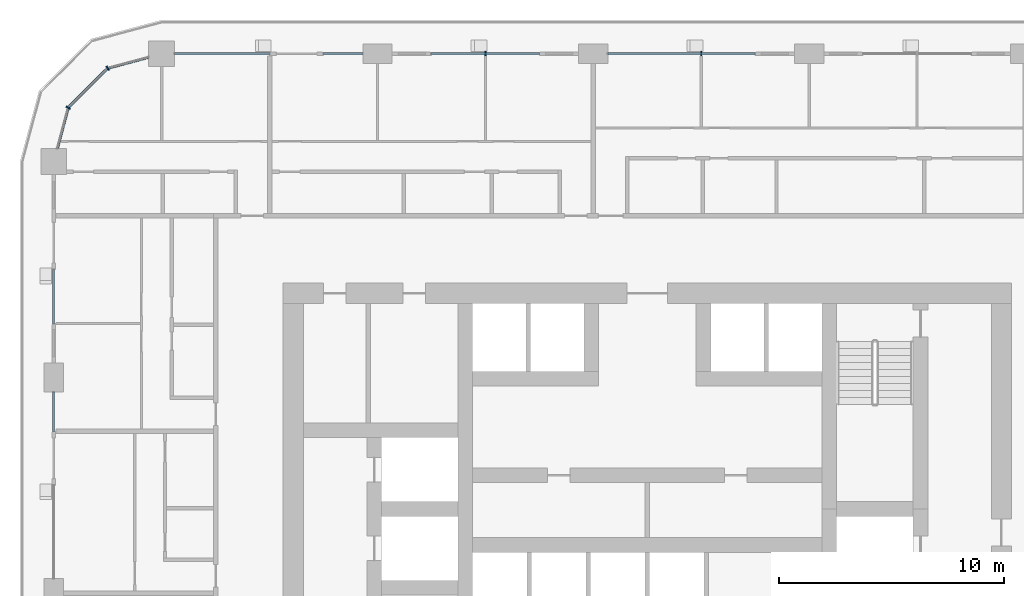
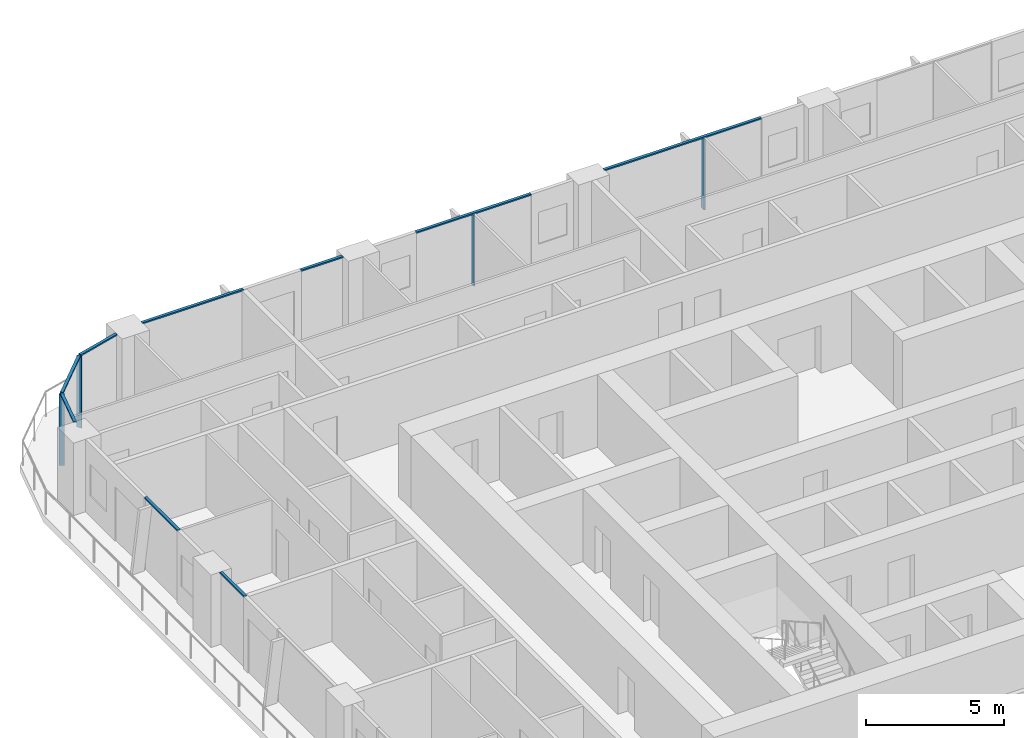
# One storey, part 5 of 22: 13 members, 6 elements without a shape of their own.
"""IFC4 building model written with IfcOpenShell, lengths in metres."""

from ifc_helpers import new_model, si_unit, direction, frame, origin, origin_2d, place, context, subcontext, project, spatial, rectangle, extrude, material, layer, layer_set, material_profile, profile_set, type_object, element, aggregate, save


model = new_model("IFC4")

# Units and contexts
model_context = context("Model", 3, precision=1e-05, world=origin(), true_north=direction((0.0, 1.0)))
body_context = subcontext(model_context, "Body", "Model", "MODEL_VIEW")
ifc_project = project(units=[si_unit("LENGTHUNIT", "METRE"), si_unit("AREAUNIT", "SQUARE_METRE"), si_unit("VOLUMEUNIT", "CUBIC_METRE"), si_unit("PLANEANGLEUNIT", "RADIAN"), si_unit("MASSUNIT", "GRAM", prefix="KILO")], contexts=[model_context])

# Site, building, storey
site_placement = place(None, origin())
site = spatial("IfcSite", under=ifc_project, at=site_placement, CompositionType="ELEMENT")
building_placement = place(site_placement, origin())
building = spatial("IfcBuilding", under=site, at=building_placement, Name="Madar Terraces", CompositionType="ELEMENT")
storey_placement = place(building_placement, frame((0.0, 0.0, 62.800048828125)))
storey = spatial("IfcBuildingStorey", under=building, at=storey_placement, Name="L15", CompositionType="ELEMENT", Elevation=62.800048828125)

# Curtain wall, member
ifc_material_1 = material(Name="Glass, ceramic frit dark grey, with black aluminium frame", Category="aluminium")
ifc_layer = layer(ifc_material_1, 0.199951171875)
ifc_layer_set = layer_set([ifc_layer], Name="Facade curtain wall, fritted glass")
curtain_wall_type = type_object("IfcCurtainWallType", Name="Facade curtain wall, fritted glass", PredefinedType="NOTDEFINED", material=ifc_layer_set)
curtain_wall_1_placement = place(storey_placement, origin())
curtain_wall_1 = element("IfcCurtainWall", 1, at=curtain_wall_1_placement, inside=storey, type_object=curtain_wall_type, Name="Outer skin curtain wall north bay 3", PredefinedType="NOTDEFINED")
ifc_material_2 = material(Name="Aluminium, black anodised", Category="aluminium")
ifc_material_profile_1 = material_profile(ifc_material_2, rectangle(XDim=0.199951171875, YDim=0.06005859375, at=origin_2d()), Name="Facade mullion 60x200")
ifc_profile_set_1 = profile_set([ifc_material_profile_1], Name="Aluminium, black anodised")
member_type_1 = type_object("IfcMemberType", Name="Facade mullion 60x200", PredefinedType="MULLION", material=ifc_profile_set_1)
member_1_placement = place(storey_placement, frame((33.60009765625, 48.0, 0.0), z_axis=(0.0, 0.0, 1.0), x_axis=(0.0, -1.0, 0.0)))
member_1 = element("IfcMember", 2, at=member_1_placement, type_object=member_type_1, Name="Mullion 1", PredefinedType="MULLION", context=body_context, shape_type="SweptSolid", body=[
    extrude(rectangle(XDim=0.199951171875, YDim=0.06005859375, at=origin_2d()), origin(), (0.0, 0.0, 1.0), 3.139892578125),
])

curtain_wall_2_placement = place(storey_placement, origin())
curtain_wall_2 = element("IfcCurtainWall", 3, at=curtain_wall_2_placement, inside=storey, type_object=curtain_wall_type, Name="Outer skin curtain wall north bay 4", PredefinedType="NOTDEFINED")
member_2_placement = place(storey_placement, frame((24.0, 48.0, 0.0), z_axis=(0.0, 0.0, 1.0), x_axis=(0.0, -1.0, 0.0)))
member_2 = element("IfcMember", 4, at=member_2_placement, type_object=member_type_1, Name="Mullion 1", PredefinedType="MULLION", context=body_context, shape_type="SweptSolid", body=[
    extrude(rectangle(XDim=0.199951171875, YDim=0.06005859375, at=origin_2d()), origin(), (0.0, 0.0, 1.0), 3.139892578125),
])

# Curtain wall, members
curtain_wall_3_placement = place(storey_placement, origin())
curtain_wall_3 = element("IfcCurtainWall", 5, at=curtain_wall_3_placement, inside=storey, type_object=curtain_wall_type, Name="Outer skin curtain wall north-west corner", PredefinedType="NOTDEFINED")
member_3_placement = place(storey_placement, frame((7.199951171875, 47.35693359375, 0.0), z_axis=(0.0, 0.0, 1.0), x_axis=(0.499999989586, -0.866025409797, 0.0)))
member_3 = element("IfcMember", 6, at=member_3_placement, type_object=member_type_1, Name="Mullion 1", PredefinedType="MULLION", context=body_context, shape_type="SweptSolid", body=[
    extrude(rectangle(XDim=0.199951171875, YDim=0.06005859375, at=origin_2d()), origin(), (0.0, 0.0, 1.0), 3.139892578125),
])
member_4_placement = place(storey_placement, frame((5.443115234375, 45.60009765625, 0.0), z_axis=(0.0, 0.0, 1.0), x_axis=(0.866025409797, -0.499999989586, 0.0)))
member_4 = element("IfcMember", 7, at=member_4_placement, type_object=member_type_1, Name="Mullion 2", PredefinedType="MULLION", context=body_context, shape_type="SweptSolid", body=[
    extrude(rectangle(XDim=0.199951171875, YDim=0.06005859375, at=origin_2d()), origin(), (0.0, 0.0, 1.0), 3.139892578125),
])

# Member
ifc_material_3 = material(Name="Aluminium, black anodised", Category="aluminium")
ifc_material_profile_2 = material_profile(ifc_material_3, rectangle(XDim=0.1201171875, YDim=0.06005859375, at=origin_2d()), Name="Facade transom 60x120")
ifc_profile_set_2 = profile_set([ifc_material_profile_2], Name="Aluminium, black anodised")
member_type_2 = type_object("IfcMemberType", Name="Facade transom 60x120", PredefinedType="USERDEFINED", material=ifc_profile_set_2)
member_5_placement = place(storey_placement, frame((36.0, 48.0, 3.169921875), z_axis=(-1.0, 0.0, 0.0), x_axis=(0.0, -1.0, 0.0)))
member_5 = element("IfcMember", 8, at=member_5_placement, type_object=member_type_2, Name="Transom 1", ObjectType="TRANSOM", PredefinedType="USERDEFINED", context=body_context, shape_type="SweptSolid", body=[
    extrude(rectangle(XDim=0.1201171875, YDim=0.06005859375, at=origin_2d()), origin(), (0.0, 0.0, 1.0), 6.550048828125),
])

aggregate(curtain_wall_1, [member_1, member_5])

member_6_placement = place(storey_placement, frame((26.39990234375, 48.0, 3.169921875), z_axis=(-1.0, 0.0, 0.0), x_axis=(0.0, -1.0, 0.0)))
member_6 = element("IfcMember", 9, at=member_6_placement, type_object=member_type_2, Name="Transom 1", ObjectType="TRANSOM", PredefinedType="USERDEFINED", context=body_context, shape_type="SweptSolid", body=[
    extrude(rectangle(XDim=0.1201171875, YDim=0.06005859375, at=origin_2d()), origin(), (0.0, 0.0, 1.0), 4.7998046875),
])

aggregate(curtain_wall_2, [member_2, member_6])

# Curtain wall, members
curtain_wall_4_placement = place(storey_placement, origin())
curtain_wall_4 = element("IfcCurtainWall", 10, at=curtain_wall_4_placement, inside=storey, type_object=curtain_wall_type, Name="Outer skin curtain wall north bay 5", PredefinedType="NOTDEFINED")
member_7_placement = place(storey_placement, frame((18.550048828125, 48.0, 3.169921875), z_axis=(-1.0, 0.0, 0.0), x_axis=(0.0, -1.0, 0.0)))
member_7 = element("IfcMember", 11, at=member_7_placement, type_object=member_type_2, Name="Transom 1", ObjectType="TRANSOM", PredefinedType="USERDEFINED", context=body_context, shape_type="SweptSolid", body=[
    extrude(rectangle(XDim=0.1201171875, YDim=0.06005859375, at=origin_2d()), origin(), (0.0, 0.0, 1.0), 1.75),
])
member_8_placement = place(storey_placement, frame((14.39990234375, 48.0, 3.169921875), z_axis=(-1.0, 0.0, 0.0), x_axis=(0.0, -1.0, 0.0)))
member_8 = element("IfcMember", 12, at=member_8_placement, type_object=member_type_2, Name="Transom 2", ObjectType="TRANSOM", PredefinedType="USERDEFINED", context=body_context, shape_type="SweptSolid", body=[
    extrude(rectangle(XDim=0.1201171875, YDim=0.06005859375, at=origin_2d()), origin(), (0.0, 0.0, 1.0), 4.224853515625),
])
aggregate(curtain_wall_4, [member_7, member_8])

# Curtain wall, member
curtain_wall_5_placement = place(storey_placement, origin())
curtain_wall_5 = element("IfcCurtainWall", 13, at=curtain_wall_5_placement, inside=storey, type_object=curtain_wall_type, Name="Outer skin curtain wall west bay 1", PredefinedType="NOTDEFINED")
member_9_placement = place(storey_placement, frame((4.800048828125, 38.39990234375, 3.169921875), z_axis=(0.0, -1.0, 0.0), x_axis=(1.0, 0.0, 0.0)))
member_9 = element("IfcMember", 14, at=member_9_placement, type_object=member_type_2, Name="Transom 1", ObjectType="TRANSOM", PredefinedType="USERDEFINED", context=body_context, shape_type="SweptSolid", body=[
    extrude(rectangle(XDim=0.1201171875, YDim=0.06005859375, at=origin_2d()), origin(), (0.0, 0.0, 1.0), 2.39990234375),
])
aggregate(curtain_wall_5, [member_9])

curtain_wall_6_placement = place(storey_placement, origin())
curtain_wall_6 = element("IfcCurtainWall", 15, at=curtain_wall_6_placement, inside=storey, type_object=curtain_wall_type, Name="Outer skin curtain wall west bay 2", PredefinedType="NOTDEFINED")
member_10_placement = place(storey_placement, frame((4.800048828125, 32.949951171875, 3.169921875), z_axis=(0.0, -1.0, 0.0), x_axis=(1.0, 0.0, 0.0)))
member_10 = element("IfcMember", 16, at=member_10_placement, type_object=member_type_2, Name="Transom 1", ObjectType="TRANSOM", PredefinedType="USERDEFINED", context=body_context, shape_type="SweptSolid", body=[
    extrude(rectangle(XDim=0.1201171875, YDim=0.06005859375, at=origin_2d()), origin(), (0.0, 0.0, 1.0), 1.75),
])
aggregate(curtain_wall_6, [member_10])

# Member
member_11_placement = place(storey_placement, frame((9.02490234375, 47.845947265625, 3.169921875), z_axis=(-0.965926950947, -0.258814847786, 0.0), x_axis=(0.258814847786, -0.965926950947, 0.0)))
member_11 = element("IfcMember", 17, at=member_11_placement, type_object=member_type_2, Name="Transom 1", ObjectType="TRANSOM", PredefinedType="USERDEFINED", context=body_context, shape_type="SweptSolid", body=[
    extrude(rectangle(XDim=0.1201171875, YDim=0.06005859375, at=origin_2d()), origin(), (0.0, 0.0, 1.0), 1.859130859375),
])

member_12_placement = place(storey_placement, frame((7.1787109375, 47.335693359375, 3.169921875), z_axis=(-0.707056433593, -0.707157125196, 0.0), x_axis=(0.707157125196, -0.707056433593, 0.0)))
member_12 = element("IfcMember", 18, at=member_12_placement, type_object=member_type_2, Name="Transom 2", ObjectType="TRANSOM", PredefinedType="USERDEFINED", context=body_context, shape_type="SweptSolid", body=[
    extrude(rectangle(XDim=0.1201171875, YDim=0.06005859375, at=origin_2d()), origin(), (0.0, 0.0, 1.0), 2.424560546875),
])

member_13_placement = place(storey_placement, frame((5.435302734375, 45.571044921875, 3.169921875), z_axis=(-0.258782024434, -0.965935745187, 0.0), x_axis=(0.965935745187, -0.258782024434, 0.0)))
member_13 = element("IfcMember", 19, at=member_13_placement, type_object=member_type_2, Name="Transom 3", ObjectType="TRANSOM", PredefinedType="USERDEFINED", context=body_context, shape_type="SweptSolid", body=[
    extrude(rectangle(XDim=0.1201171875, YDim=0.06005859375, at=origin_2d()), origin(), (0.0, 0.0, 1.0), 1.859375),
])

aggregate(curtain_wall_3, [member_3, member_11, member_4, member_12, member_13])

save(model, "model.ifc")
